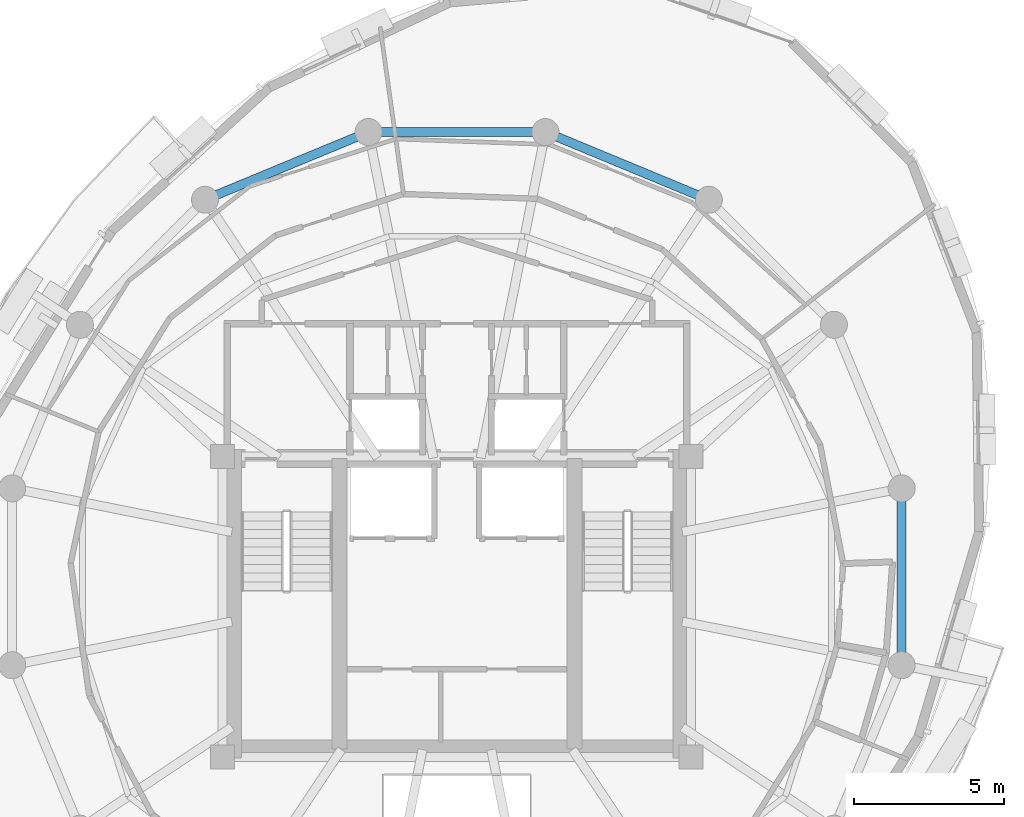
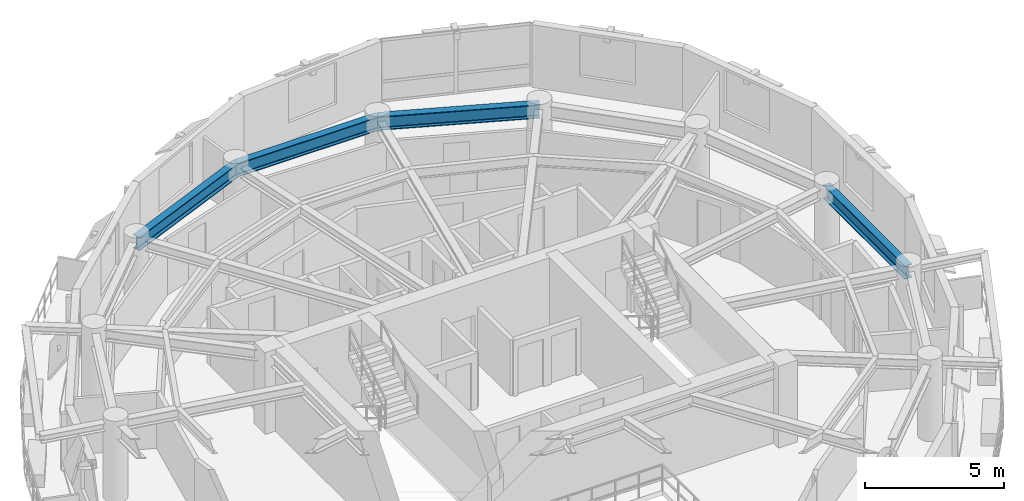
# One storey, part 4 of 11: 4 beams.
"""IFC4 building model written with IfcOpenShell, lengths in metres."""

from ifc_helpers import new_model, si_unit, direction, frame, origin, origin_2d, place, context, subcontext, project, spatial, i_section, extrude, material, material_profile, profile_set, type_object, element, save


model = new_model("IFC4")

# Units and contexts
model_context = context("Model", 3, precision=1e-05, world=origin(), true_north=direction((0.0, 1.0)))
body_context = subcontext(model_context, "Body", "Model", "MODEL_VIEW")
ifc_project = project(units=[si_unit("LENGTHUNIT", "METRE"), si_unit("AREAUNIT", "SQUARE_METRE"), si_unit("VOLUMEUNIT", "CUBIC_METRE"), si_unit("PLANEANGLEUNIT", "RADIAN"), si_unit("MASSUNIT", "GRAM", prefix="KILO"), si_unit("THERMODYNAMICTEMPERATUREUNIT", "KELVIN"), si_unit("POWERUNIT", "WATT")], contexts=[model_context])

# Site, building, storey
site_placement = place(None, origin())
site = spatial("IfcSite", under=ifc_project, at=site_placement, CompositionType="ELEMENT")
building_placement = place(site_placement, origin())
building = spatial("IfcBuilding", under=site, at=building_placement, Name="Ocrelia Relay Tower", CompositionType="ELEMENT")
storey_placement = place(building_placement, frame((0.0, 0.0, 270.0)))
storey = spatial("IfcBuildingStorey", under=building, at=storey_placement, Name="L67", CompositionType="ELEMENT", Elevation=270.0)

# Beams
ifc_material = material(Name="Steel S355", Category="steel")
ifc_material_profile = material_profile(ifc_material, i_section(OverallWidth=0.300048828125, OverallDepth=0.60009765625, WebThickness=0.015380859375, FlangeThickness=0.030029296875, FilletRadius=0.027099609375, at=origin_2d()), Name="HEB 600")
ifc_profile_set = profile_set([ifc_material_profile], Name="Steel S355")
beam_type = type_object("IfcBeamType", Name="BM-HEB600", PredefinedType="BEAM", material=ifc_profile_set)
beam_1_placement = place(storey_placement, frame((42.38916015625, 38.55517578125, 3.080078125), z_axis=(-0.923884009374, 0.382672624084, 0.0), x_axis=(-0.382672624084, -0.923884009374, 0.0)))
element("IfcBeam", 1, at=beam_1_placement, inside=storey, type_object=beam_type, Name="L67 Perimeter Spandrel Beam S03", PredefinedType="BEAM", context=body_context, shape_type="SweptSolid", body=[
    extrude(i_section(OverallWidth=0.300048828125, OverallDepth=0.60009765625, WebThickness=0.015380859375, FlangeThickness=0.030029296875, FilletRadius=0.027099609375, at=origin_2d()), origin(), (0.0, 0.0, 1.0), 5.891845703125),
])
beam_2_placement = place(storey_placement, frame((36.94580078125, 40.809814453125, 3.080078125), z_axis=(-1.0, 0.0, 0.0), x_axis=(0.0, -1.0, 0.0)))
element("IfcBeam", 2, at=beam_2_placement, inside=storey, type_object=beam_type, Name="L67 Perimeter Spandrel Beam S04", PredefinedType="BEAM", context=body_context, shape_type="SweptSolid", body=[
    extrude(i_section(OverallWidth=0.300048828125, OverallDepth=0.60009765625, WebThickness=0.015380859375, FlangeThickness=0.030029296875, FilletRadius=0.027099609375, at=origin_2d()), origin(), (0.0, 0.0, 1.0), 5.8916015625),
])
beam_3_placement = place(storey_placement, frame((31.05419921875, 40.809814453125, 3.080078125), z_axis=(-0.923884009374, -0.382672624084, 0.0), x_axis=(0.382672624084, -0.923884009374, 0.0)))
element("IfcBeam", 3, at=beam_3_placement, inside=storey, type_object=beam_type, Name="L67 Perimeter Spandrel Beam S05", PredefinedType="BEAM", context=body_context, shape_type="SweptSolid", body=[
    extrude(i_section(OverallWidth=0.300048828125, OverallDepth=0.60009765625, WebThickness=0.015380859375, FlangeThickness=0.030029296875, FilletRadius=0.027099609375, at=origin_2d()), origin(), (0.0, 0.0, 1.0), 5.891845703125),
])
beam_4_placement = place(storey_placement, frame((48.809814453125, 23.05419921875, 3.080078125), z_axis=(0.0, 1.0, 0.0), x_axis=(-1.0, 0.0, 0.0)))
element("IfcBeam", 4, at=beam_4_placement, inside=storey, type_object=beam_type, Name="L67 Perimeter Spandrel Beam S16", PredefinedType="BEAM", context=body_context, shape_type="SweptSolid", body=[
    extrude(i_section(OverallWidth=0.300048828125, OverallDepth=0.60009765625, WebThickness=0.015380859375, FlangeThickness=0.030029296875, FilletRadius=0.027099609375, at=origin_2d()), origin(), (0.0, 0.0, 1.0), 5.8916015625),
])

save(model, "model.ifc")
